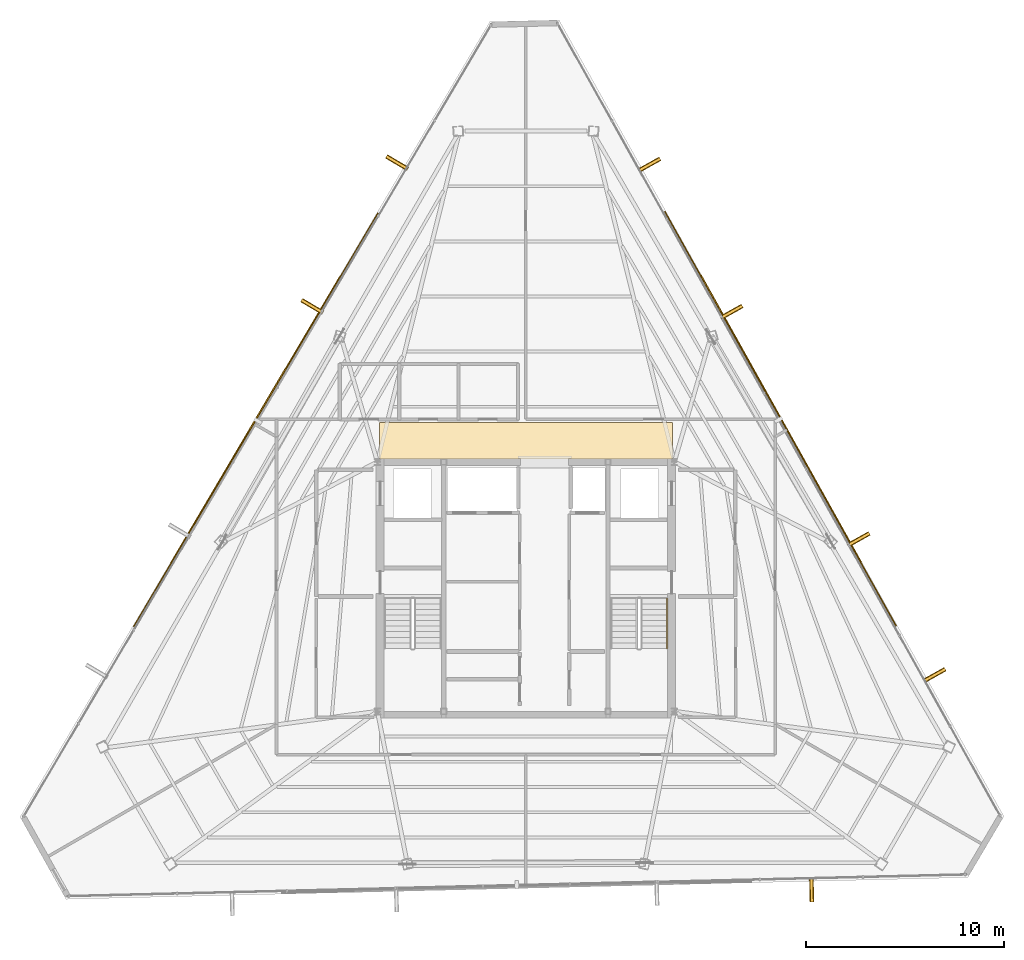
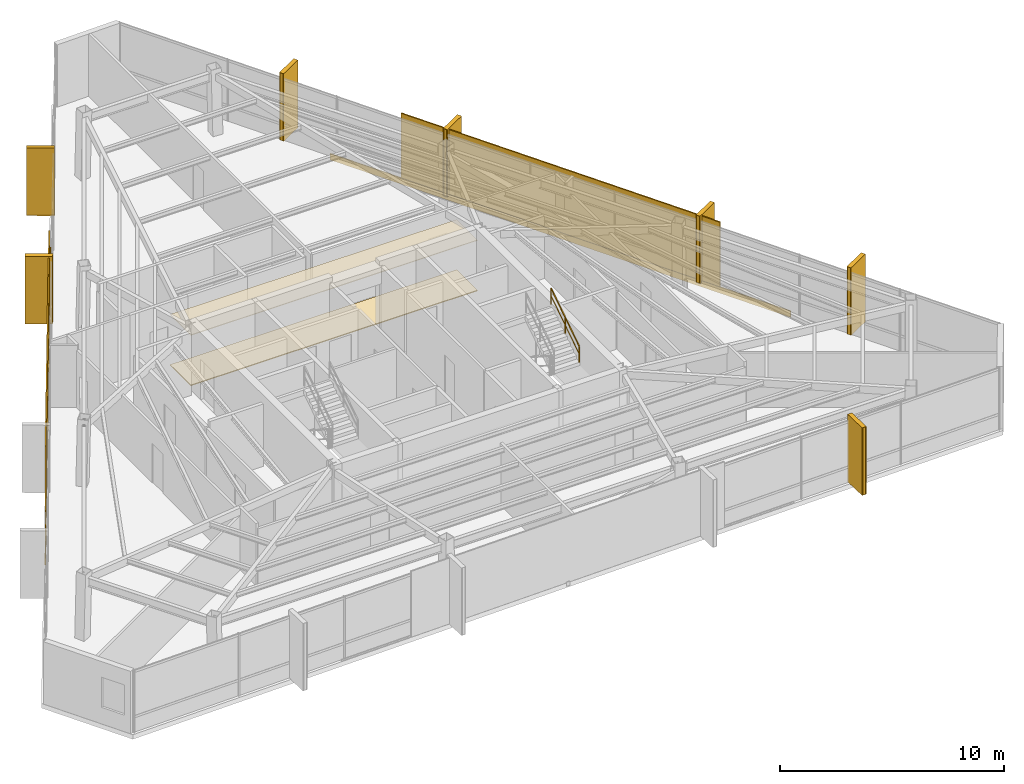
# One storey, part 45 of 45: 11 coverings, 9 shading devices, 1 railing.
"""IFC4 building model written with IfcOpenShell, lengths in metres."""

from ifc_helpers import new_model, si_unit, direction, frame, origin, origin_2d, place, context, subcontext, project, spatial, polyline, rectangle, outline, extrude, source, transform, mapped, material, layer, layer_set, type_object, type_shapes, element, save


model = new_model("IFC4")

# Units and contexts
model_context = context("Model", 3, precision=1e-05, world=origin(), true_north=direction((0.0, 1.0)))
body_context = subcontext(model_context, "Body", "Model", "MODEL_VIEW")
ifc_project = project(units=[si_unit("LENGTHUNIT", "METRE"), si_unit("AREAUNIT", "SQUARE_METRE"), si_unit("VOLUMEUNIT", "CUBIC_METRE"), si_unit("PLANEANGLEUNIT", "RADIAN"), si_unit("MASSUNIT", "GRAM", prefix="KILO")], contexts=[model_context])

# Site, building, storey
site_placement = place(None, origin())
site = spatial("IfcSite", under=ifc_project, at=site_placement, CompositionType="ELEMENT")
building_placement = place(site_placement, origin())
building = spatial("IfcBuilding", under=site, at=building_placement, Name="Caelisora Broadcast Tower", CompositionType="ELEMENT")
storey_placement = place(building_placement, frame((0.0, 0.0, 273.64990234375)))
storey = spatial("IfcBuildingStorey", under=building, at=storey_placement, Name="L72", CompositionType="ELEMENT", Elevation=273.64990234375)

# Coverings
ifc_material_1 = material(Name="Perforated Mineral-Fibre Acoustic Ceiling Tile", Category="gypsum")
ifc_layer_1 = layer(ifc_material_1, 0.034912109375, Name="Perforated Mineral-Fibre Acoustic Ceiling Tile")
ifc_layer_set_1 = layer_set([ifc_layer_1], Name="Perforated Mineral-Fibre Acoustic Ceiling Tile")
covering_type_1 = type_object("IfcCoveringType", Name="CE-1", PredefinedType="CEILING", material=ifc_layer_set_1)
covering_1_placement = place(storey_placement, frame((0.0, 0.0, 2.75)))
element("IfcCovering", 1, at=covering_1_placement, inside=storey, type_object=covering_type_1, Name="L72 acoustic corridor ceiling CE-1 (N)", PredefinedType="CEILING", context=body_context, shape_type="SweptSolid", body=[
    extrude(outline(polyline([(30.60009765625, 30.14990234375), (45.39990234375, 30.14990234375), (45.39990234375, 32.0), (30.60009765625, 32.0), (30.60009765625, 30.14990234375)])), origin(), (0.0, 0.0, 1.0), 0.03515625),
])
ifc_material_2 = material(Name="Anti-Static Broadcast Raised Access Floor Panel", Category="steel")
ifc_layer_2 = layer(ifc_material_2, 0.044921875, Name="Anti-Static Broadcast Raised Access Floor Panel")
ifc_layer_set_2 = layer_set([ifc_layer_2], Name="Anti-Static Broadcast Raised Access Floor Panel")
covering_type_2 = type_object("IfcCoveringType", Name="FL-1", PredefinedType="FLOORING", material=ifc_layer_set_2)
covering_2_placement = place(storey_placement, origin())
element("IfcCovering", 2, at=covering_2_placement, inside=storey, type_object=covering_type_2, Name="L72 broadcast raised access floor FL-1 (N)", PredefinedType="FLOORING", context=body_context, shape_type="SweptSolid", body=[
    extrude(outline(polyline([(30.60009765625, 30.14990234375), (45.39990234375, 30.14990234375), (45.39990234375, 32.0), (30.60009765625, 32.0), (30.60009765625, 30.14990234375)])), origin(), (0.0, 0.0, 1.0), 0.045166015625),
])

# Railing
ifc_material_3 = material(Name="Stainless Steel Grade 316 Tubular Handrail", Category="steel")
ifc_layer_3 = layer(ifc_material_3, 0.048095703125, Name="Stainless Steel Grade 316 Tubular Handrail")
ifc_layer_set_3 = layer_set([ifc_layer_3], Name="Stainless Steel Grade 316 Tubular Handrail")
railing_type = type_object("IfcRailingType", Name="HR-1", PredefinedType="HANDRAIL", material=ifc_layer_set_3)
railing_placement = place(storey_placement, frame((45.1298828125, 20.580078125, 2.007568359375)))
element("IfcRailing", 3, at=railing_placement, inside=storey, type_object=railing_type, Name="L72 ST-2 stair handrail 2", PredefinedType="HANDRAIL", context=body_context, shape_type="SweptSolid", body=[
    extrude(rectangle(XDim=0.048095703125, YDim=0.048095703125, at=origin_2d()), frame((0.0, 0.0, 0.8759765625), z_axis=(0.0, 0.837749427056, 0.546054848405), x_axis=(-1.0, 0.0, 0.0)), (0.0, 0.0, 1.0), 3.008056640625),
    extrude(rectangle(XDim=0.03125, YDim=0.03125, at=origin_2d()), frame((0.0, 0.0, 0.449951171875), z_axis=(0.0, 0.837749427056, 0.546054848405), x_axis=(-1.0, 0.0, 0.0)), (0.0, 0.0, 1.0), 3.008056640625),
    extrude(rectangle(XDim=0.0419921875, YDim=0.0419921875, at=origin_2d()), origin(), (0.0, 0.0, 1.0), 0.851806640625),
    extrude(rectangle(XDim=0.0419921875, YDim=0.0419921875, at=origin_2d()), frame((0.0, 1.260009765625, 0.8212890625)), (0.0, 0.0, 1.0), 0.851806640625),
    extrude(rectangle(XDim=0.0419921875, YDim=0.0419921875, at=origin_2d()), frame((0.0, 2.52001953125, 1.642578125)), (0.0, 0.0, 1.0), 0.851806640625),
])

# Coverings
ifc_material_4 = material(Name="Kiln-Fired Terracotta Spandrel Rainscreen Cladding", Category="ceramic")
ifc_layer_4 = layer(ifc_material_4, 0.044921875, Name="Kiln-Fired Terracotta Spandrel Rainscreen Cladding")
ifc_layer_set_4 = layer_set([ifc_layer_4], Name="Kiln-Fired Terracotta Spandrel Rainscreen Cladding")
covering_type_3 = type_object("IfcCoveringType", Name="CL-1", PredefinedType="CLADDING", material=ifc_layer_set_4)
shared_shape_1 = source(origin(), body_context, "Body", "SweptSolid", [
    extrude(rectangle(XDim=0.219970703125, YDim=1.25, at=origin_2d()), origin(), (0.0, 0.0, 1.0), 3.68994140625),
])
for number, where, z_axis, x_axis, name in (
    (4, (44.23486328125, 45.01025390625, -0.019775390625), (0.0, 0.0, 1.0), (0.487707298065, -0.873007211547, 0.0), "L72 vertical solar fin cladding #1-1"),
    (5, (48.388671875, 37.574462890625, -0.019775390625), (0.0, 0.0, 1.0), (0.487707298065, -0.873007211547, 0.0), "L72 vertical solar fin cladding #1-2"),
    (6, (54.80810546875, 26.0830078125, -0.019775390625), (0.0, 0.0, 1.0), (0.487707298065, -0.873007211547, 0.0), "L72 vertical solar fin cladding #1-3"),
    (7, (58.639404296875, 19.224609375, -0.019775390625), (0.0, 0.0, 1.0), (0.487707298065, -0.873007211547, 0.0), "L72 vertical solar fin cladding #1-4"),
    (8, (52.4365234375, 8.399658203125, -0.019775390625), (0.0, 0.0, 1.0), (-0.999709957315, -0.024083215021, 0.0), "L72 vertical solar fin cladding #2-1"),
    (9, (27.201904296875, 37.857177734375, -0.019775390625), (0.0, 0.0, 1.0), (0.508590662521, 0.861008442465, 0.0), "L72 vertical solar fin cladding #3-3"),
    (10, (31.490478515625, 45.116943359375, -0.019775390625), (0.0, 0.0, 1.0), (0.508590662521, 0.861008442465, 0.0), "L72 vertical solar fin cladding #3-4"),
):
    element("IfcCovering", number, at=place(storey_placement, frame(where, z_axis=z_axis, x_axis=x_axis)), inside=storey, type_object=covering_type_3, Name=name, PredefinedType="CLADDING", context=body_context, shape_type="MappedRepresentation", body=[
        mapped(shared_shape_1, transform((0.0, 0.0, 0.0), scale=1.0)),
    ])

# Shading devices
ifc_material_5 = material(Name="Extruded Terracotta Flaring Colonnade Fin", Category="ceramic")
ifc_layer_5 = layer(ifc_material_5, 0.139892578125, Name="Extruded Terracotta Flaring Colonnade Fin")
ifc_layer_set_5 = layer_set([ifc_layer_5], Name="Extruded Terracotta Flaring Colonnade Fin")
shading_device_type_1 = type_object("IfcShadingDeviceType", Name="FN-1", PredefinedType="USERDEFINED", material=ifc_layer_set_5)
shared_shape_2 = source(origin(), body_context, "Body", "SweptSolid", [
    extrude(rectangle(XDim=0.139892578125, YDim=1.25, at=origin_2d()), origin(), (0.0, 0.0, 1.0), 3.669921875),
])
type_shapes(shading_device_type_1, [shared_shape_2])
for number, where, z_axis, x_axis, name in (
    (11, (44.23486328125, 45.01025390625, -0.009765625), (0.0, 0.0, 1.0), (0.487707298065, -0.873007211547, 0.0), "L72 vertical terracotta fin #1-1"),
    (12, (48.388671875, 37.574462890625, -0.009765625), (0.0, 0.0, 1.0), (0.487707298065, -0.873007211547, 0.0), "L72 vertical terracotta fin #1-2"),
    (13, (54.80810546875, 26.0830078125, -0.009765625), (0.0, 0.0, 1.0), (0.487707298065, -0.873007211547, 0.0), "L72 vertical terracotta fin #1-3"),
    (14, (58.639404296875, 19.224609375, -0.009765625), (0.0, 0.0, 1.0), (0.487707298065, -0.873007211547, 0.0), "L72 vertical terracotta fin #1-4"),
    (15, (52.4365234375, 8.399658203125, -0.009765625), (0.0, 0.0, 1.0), (-0.999709957315, -0.024083215021, 0.0), "L72 vertical terracotta fin #2-1"),
    (16, (27.201904296875, 37.857177734375, -0.009765625), (0.0, 0.0, 1.0), (0.508590662521, 0.861008442465, 0.0), "L72 vertical terracotta fin #3-3"),
    (17, (31.490478515625, 45.116943359375, -0.009765625), (0.0, 0.0, 1.0), (0.508590662521, 0.861008442465, 0.0), "L72 vertical terracotta fin #3-4"),
):
    element("IfcShadingDevice", number, at=place(storey_placement, frame(where, z_axis=z_axis, x_axis=x_axis)), inside=storey, type_object=shading_device_type_1, Name=name, ObjectType="FIN", PredefinedType="USERDEFINED", context=body_context, shape_type="MappedRepresentation", body=[
        mapped(shared_shape_2, transform((0.0, 0.0, 0.0), scale=1.0)),
    ])
ifc_material_6 = material(Name="Perforated Glazed Terracotta Baguette Solar Screen", Category="ceramic")
ifc_layer_6 = layer(ifc_material_6, 0.06494140625, Name="Perforated Glazed Terracotta Baguette Solar Screen")
ifc_layer_set_6 = layer_set([ifc_layer_6], Name="Perforated Glazed Terracotta Baguette Solar Screen")
shading_device_type_2 = type_object("IfcShadingDeviceType", Name="SS-1", PredefinedType="USERDEFINED", material=ifc_layer_set_6)
shared_shape_3 = source(origin(), body_context, "Body", "SweptSolid", [
    extrude(rectangle(XDim=16.798095703125, YDim=0.06494140625, at=origin_2d()), origin(), (0.0, 0.0, 1.0), 3.590087890625),
])
shading_device_1_placement = place(storey_placement, frame((24.34228515625, 32.131591796875, 0.0), z_axis=(0.0, 0.0, 1.0), x_axis=(-0.508590662521, -0.861008442465, 0.0)))
element("IfcShadingDevice", 18, at=shading_device_1_placement, inside=storey, type_object=shading_device_type_2, Name="L72 perforated terracotta solar screen #1", ObjectType="SOLAR SCREEN", PredefinedType="USERDEFINED", context=body_context, shape_type="MappedRepresentation", body=[
    mapped(shared_shape_3, transform((0.0, 0.0, 0.0), scale=1.0)),
])

# Covering
shared_shape_4 = source(origin(), body_context, "Body", "SweptSolid", [
    extrude(rectangle(XDim=24.263916015625, YDim=0.044921875, at=origin_2d()), origin(), (0.0, 0.0, 1.0), 0.340087890625),
])
covering_3_placement = place(storey_placement, frame((24.359619140625, 32.12158203125, -0.27001953125), z_axis=(0.0, 0.0, 1.0), x_axis=(-0.508590662521, -0.861008442465, 0.0)))
element("IfcCovering", 19, at=covering_3_placement, inside=storey, type_object=covering_type_3, Name="L72 terracotta spandrel rainscreen #1", PredefinedType="CLADDING", context=body_context, shape_type="MappedRepresentation", body=[
    mapped(shared_shape_4, transform((0.0, 0.0, 0.0), scale=1.0)),
])

# Shading device
shared_shape_5 = source(origin(), body_context, "Body", "SweptSolid", [
    extrude(rectangle(XDim=16.591064453125, YDim=0.06494140625, at=origin_2d()), origin(), (0.0, 0.0, 1.0), 3.590087890625),
])
type_shapes(shading_device_type_2, [shared_shape_3, shared_shape_5])
shading_device_2_placement = place(storey_placement, frame((50.882080078125, 32.1884765625, 0.0), z_axis=(0.0, 0.0, 1.0), x_axis=(-0.487707298065, 0.873007211547, 0.0)))
element("IfcShadingDevice", 20, at=shading_device_2_placement, inside=storey, type_object=shading_device_type_2, Name="L72 perforated terracotta solar screen #3", ObjectType="SOLAR SCREEN", PredefinedType="USERDEFINED", context=body_context, shape_type="MappedRepresentation", body=[
    mapped(shared_shape_5, transform((0.0, 0.0, 0.0), scale=1.0)),
])

# Covering
shared_shape_6 = source(origin(), body_context, "Body", "SweptSolid", [
    extrude(rectangle(XDim=23.965087890625, YDim=0.044921875, at=origin_2d()), origin(), (0.0, 0.0, 1.0), 0.340087890625),
])
type_shapes(covering_type_3, [shared_shape_1, shared_shape_4, shared_shape_6])
covering_4_placement = place(storey_placement, frame((50.864501953125, 32.1787109375, -0.27001953125), z_axis=(0.0, 0.0, 1.0), x_axis=(-0.487707298065, 0.873007211547, 0.0)))
element("IfcCovering", 21, at=covering_4_placement, inside=storey, type_object=covering_type_3, Name="L72 terracotta spandrel rainscreen #3", PredefinedType="CLADDING", context=body_context, shape_type="MappedRepresentation", body=[
    mapped(shared_shape_6, transform((0.0, 0.0, 0.0), scale=1.0)),
])

save(model, "model.ifc")
